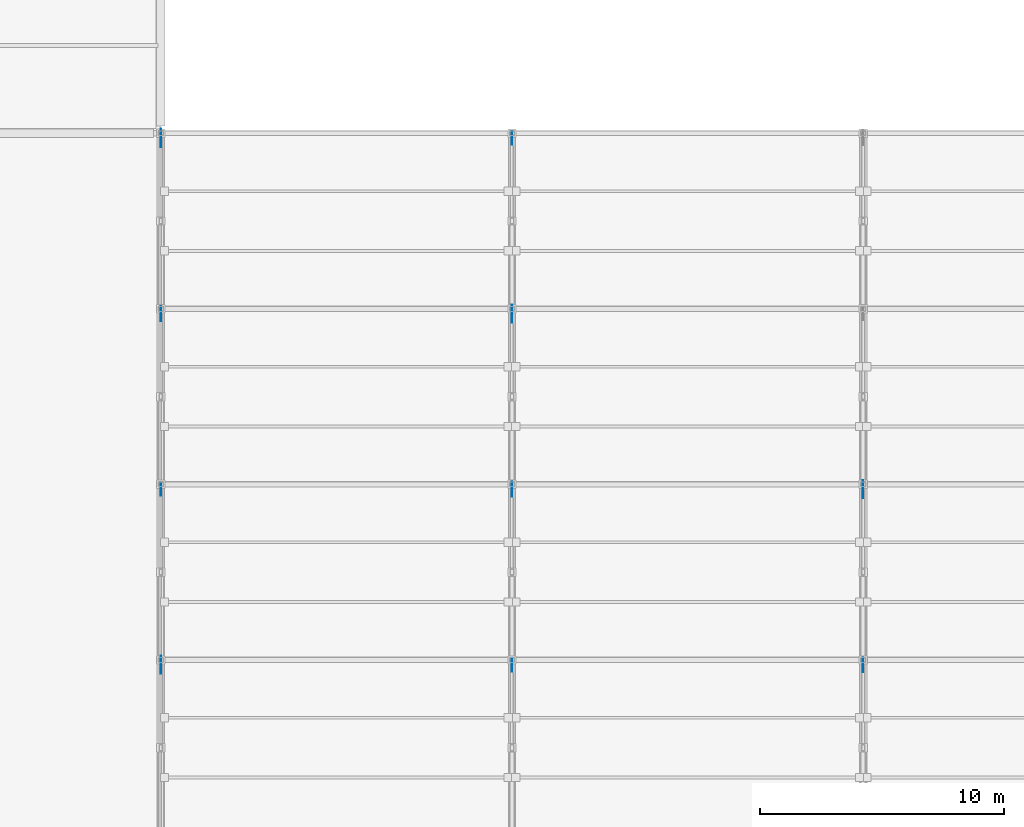
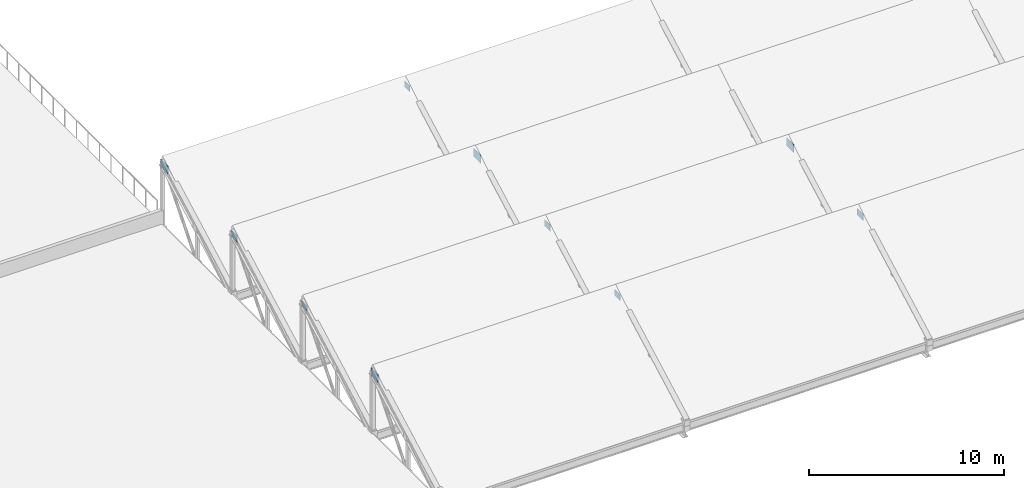
# One storey, part 32 of 51: 10 plates.
"""IFC4 building model written with IfcOpenShell, lengths in metres."""

import ifcopenshell
import ifcopenshell.guid

model = None  # the IFC model being written
_history = None  # IfcOwnerHistory: only IFC2X3 demands one
_inside = {}  # id of a spatial element -> (the spatial element, [elements in it])
_under = {}  # id of a project, library or spatial element -> (it, [spatial elements below it])
_declared = {}  # id of a project -> (the project, [libraries it declares])
_typed = {}  # id of a type object -> (the type object, [elements of that type])
_made_of = {}  # id of a material, layer set ... -> (it, [elements and type objects made of it])


def new_model(schema):
    """Start an empty IFC model of exactly this schema.

    Asked for "IFC4X3", IfcOpenShell would pick the latest addendum, in which some entities
    have other attributes; the version numbers below select the first issue.
    IFC2X3 requires an IfcOwnerHistory on every rooted entity: one is made here for all.
    """
    global model, _history
    if schema == "IFC4X3":
        model = ifcopenshell.file(schema_version=(4, 3, 0, 0))
    else:
        model = ifcopenshell.file(schema=schema)
    _inside.clear()
    _under.clear()
    _declared.clear()
    _typed.clear()
    _made_of.clear()
    _history = None
    if model.schema == "IFC2X3":
        org = make("IfcOrganization", Name="unknown")
        user = make(
            "IfcPersonAndOrganization",
            ThePerson=make("IfcPerson", FamilyName="unknown"),
            TheOrganization=org,
        )
        app = make(
            "IfcApplication",
            ApplicationDeveloper=org,
            Version="unknown",
            ApplicationFullName="unknown",
            ApplicationIdentifier="unknown",
        )
        _history = make(
            "IfcOwnerHistory",
            OwningUser=user,
            OwningApplication=app,
            ChangeAction="ADDED",
            CreationDate=0,
        )
    return model


def make(cls, **values):
    """One entity of the class cls with the attributes given. An attribute that is None is left unset."""
    return model.create_entity(
        cls, **{name: value for name, value in values.items() if value is not None}
    )


def rooted(cls, **values):
    """An entity with a GlobalId (a new one), such as an element, a storey or a relation."""
    return make(cls, GlobalId=ifcopenshell.guid.new(), OwnerHistory=_history, **values)


def si_unit(unit_type, name, prefix=None):
    """IfcSIUnit, for example si_unit("LENGTHUNIT", "METRE", prefix="MILLI")."""
    return make("IfcSIUnit", UnitType=unit_type, Prefix=prefix, Name=name)


def assignment(units):
    """IfcUnitAssignment: the units of a project."""
    return None if units is None else make("IfcUnitAssignment", Units=units)


def point(xyz):
    """IfcCartesianPoint."""
    return None if xyz is None else make("IfcCartesianPoint", Coordinates=xyz)


def direction(xyz):
    """IfcDirection."""
    return None if xyz is None else make("IfcDirection", DirectionRatios=xyz)


def frame(location, z_axis=None, x_axis=None):
    """IfcAxis2Placement3D, a coordinate frame: its origin and axes. An axis left out is left unset."""
    return make(
        "IfcAxis2Placement3D",
        Location=point(location),
        Axis=direction(z_axis),
        RefDirection=direction(x_axis),
    )


def frame_2d(location, x_axis=None):
    """IfcAxis2Placement2D, a coordinate frame in the plane: its origin and x axis."""
    return make(
        "IfcAxis2Placement2D", Location=point(location), RefDirection=direction(x_axis)
    )


def origin():
    """The frame at (0, 0, 0) with its axes left unset."""
    return frame((0.0, 0.0, 0.0))


def origin_2d():
    """The frame at (0, 0) in the plane with its x axis left unset."""
    return frame_2d((0.0, 0.0))


def place(relative_to, where):
    """IfcLocalPlacement: puts the frame where relative to a parent placement (None: the world)."""
    return make(
        "IfcLocalPlacement", PlacementRelTo=relative_to, RelativePlacement=where
    )


def context(
    kind, dimensions, precision=None, world=None, true_north=None, identifier=None
):
    """IfcGeometricRepresentationContext, for example the 3D "Model" context."""
    return make(
        "IfcGeometricRepresentationContext",
        ContextIdentifier=identifier,
        ContextType=kind,
        CoordinateSpaceDimension=dimensions,
        Precision=precision,
        WorldCoordinateSystem=world,
        TrueNorth=true_north,
    )


def subcontext(parent, identifier, kind, view, scale=None):
    """IfcGeometricRepresentationSubContext, for example "Body" below "Model"."""
    return make(
        "IfcGeometricRepresentationSubContext",
        ContextIdentifier=identifier,
        ContextType=kind,
        ParentContext=parent,
        TargetScale=scale,
        TargetView=view,
    )


def project(units=None, contexts=None):
    """IfcProject with its units and contexts."""
    return rooted(
        "IfcProject",
        Name="project",
        RepresentationContexts=contexts,
        UnitsInContext=assignment(units),
    )


def spatial(cls, under=None, at=None, **own):
    """A site, building, storey or space (cls), placed at a placement, below another one or the project."""
    s = rooted(cls, ObjectPlacement=at, **own)
    if under is not None:
        _under.setdefault(under.id(), (under, []))[1].append(s)
    return s


def profile(cls, at=None, kind="AREA", **sizes):
    """A parametric profile (cls). Its sizes go by their IFC names, for example OverallWidth=200.0."""
    return make(cls, ProfileType=kind, Position=at, **sizes)


def rectangle(**sizes):
    """IfcRectangleProfileDef."""
    return profile("IfcRectangleProfileDef", **sizes)


def extrude(swept, where, along, depth):
    """IfcExtrudedAreaSolid: the profile swept, set in the frame where, extruded along a direction by depth."""
    return make(
        "IfcExtrudedAreaSolid",
        SweptArea=swept,
        Position=where,
        ExtrudedDirection=direction(along),
        Depth=depth,
    )


def shape(context_of_items, identifier, shape_type, items):
    """IfcShapeRepresentation: the items that make up one representation, for example the "Body"."""
    return make(
        "IfcShapeRepresentation",
        ContextOfItems=context_of_items,
        RepresentationIdentifier=identifier,
        RepresentationType=shape_type,
        Items=items,
    )


def material(Name=None, Category=None):
    """IfcMaterial."""
    return make("IfcMaterial", Name=Name, Category=Category)


def made_of(thing, what):
    """Note that an element or type object is made of a material, layer set ...; save() writes the relation."""
    if what is not None:
        _made_of.setdefault(what.id(), (what, []))[1].append(thing)
    return thing


def type_object(cls, material=None, **own):
    """A type object (cls), such as IfcWallType, which elements share."""
    return made_of(rooted(cls, **own), material)


def element(
    cls,
    number,
    at=None,
    inside=None,
    cuts=None,
    type_object=None,
    material=None,
    context=None,
    identifier="Body",
    shape_type=None,
    held_by="IfcProductDefinitionShape",
    body=None,
    shapes=None,
    **own,
):
    """One element of the class cls, such as IfcWall. Its Tag is "e" and its number.

    at: its placement. inside: the storey or other place that contains it. cuts: it is an
    opening in that element (IfcRelVoidsElement). A single representation is given by context,
    identifier, shape_type and body (its items); several are given by shapes. held_by: the class
    of the entity that holds the representations. save() writes the other relations.
    """
    e = rooted(cls, Tag="e%d" % number, ObjectPlacement=at, **own)
    if body is not None:
        shapes = [shape(context, identifier, shape_type, body)]
    if shapes is not None:
        e.Representation = make(held_by, Representations=shapes)
    if inside is not None:
        _inside.setdefault(inside.id(), (inside, []))[1].append(e)
    if cuts is not None:
        rooted(
            "IfcRelVoidsElement", RelatingBuildingElement=cuts, RelatedOpeningElement=e
        )
    if type_object is not None:
        _typed.setdefault(type_object.id(), (type_object, []))[1].append(e)
    return made_of(e, material)


def aggregate(whole, parts):
    """IfcRelAggregates: a whole, such as a stair, and the parts it consists of."""
    return rooted("IfcRelAggregates", RelatingObject=whole, RelatedObjects=parts)


def save(model, path):
    """Write the relations noted so far, then the file.

    IfcRelAggregates (storeys below a building ...), IfcRelContainedInSpatialStructure (elements
    in a storey), IfcRelDefinesByType, IfcRelAssociatesMaterial and IfcRelDeclares: one each for
    every whole, place, type object, material and project.
    """
    for whole, parts in _under.values():
        aggregate(whole, parts)
    for where, things in _inside.values():
        rooted(
            "IfcRelContainedInSpatialStructure",
            RelatedElements=things,
            RelatingStructure=where,
        )
    for kind, things in _typed.values():
        rooted("IfcRelDefinesByType", RelatedObjects=things, RelatingType=kind)
    for what, things in _made_of.values():
        rooted("IfcRelAssociatesMaterial", RelatedObjects=things, RelatingMaterial=what)
    for by, libraries in _declared.values():
        rooted("IfcRelDeclares", RelatingContext=by, RelatedDefinitions=libraries)
    model.write(path)


model = new_model("IFC4")

# Units and contexts
model_context = context("Model", 3, precision=1e-05, world=origin(), true_north=direction((0.0, 1.0)))
body_context = subcontext(model_context, "Body", "Model", "MODEL_VIEW")
ifc_project = project(units=[si_unit("LENGTHUNIT", "METRE"), si_unit("AREAUNIT", "SQUARE_METRE"), si_unit("VOLUMEUNIT", "CUBIC_METRE"), si_unit("PLANEANGLEUNIT", "RADIAN"), si_unit("MASSUNIT", "GRAM", prefix="KILO")], contexts=[model_context])

# Site, building, storey
site_placement = place(None, origin())
site = spatial("IfcSite", under=ifc_project, at=site_placement, CompositionType="ELEMENT")
building_placement = place(site_placement, origin())
building = spatial("IfcBuilding", under=site, at=building_placement, Name="Valkovuoma Quantum and Materials Research Institute", CompositionType="ELEMENT")
storey_placement = place(building_placement, frame((0.0, 0.0, 17.280029296875)))
storey = spatial("IfcBuildingStorey", under=building, at=storey_placement, Name="L04", CompositionType="ELEMENT", Elevation=17.280029296875)

# Plates
ifc_material_1 = material(Name="Steel S355J2", Category="steel")
plate_type_1 = type_object("IfcPlateType", Name="Plate-PL-GUS1", PredefinedType="USERDEFINED", material=ifc_material_1)
for number, where, z_axis, x_axis, name in (
    (1, (43.199951171875, 57.39990234375, 3.489990234375), (0.0, 0.0, 1.0), (0.0, 1.0, 0.0), "L04 VOL2 truss gusset 1.3"),
    (2, (57.60009765625, 50.199951171875, 3.489990234375), (0.0, 0.0, 1.0), (0.0, 1.0, 0.0), "L04 VOL2 truss gusset 2.2"),
    (3, (72.0, 43.0, 3.489990234375), (0.0, 0.0, 1.0), (0.0, 1.0, 0.0), "L04 VOL2 truss gusset 3.1"),
):
    element("IfcPlate", number, at=place(storey_placement, frame(where, z_axis=z_axis, x_axis=x_axis)), inside=storey, type_object=plate_type_1, Name=name, ObjectType="GUSSET_PLATE", PredefinedType="USERDEFINED", context=body_context, shape_type="SweptSolid", body=[
        extrude(rectangle(XDim=0.60009765625, YDim=0.02490234375, at=origin_2d()), origin(), (0.0, 0.0, 1.0), 0.39990234375),
    ])
ifc_material_2 = material(Name="Steel S355J2", Category="steel")
plate_type_2 = type_object("IfcPlateType", Name="Plate-PL-GUS2", PredefinedType="USERDEFINED", material=ifc_material_2)
for number, where, z_axis, x_axis, name in (
    (4, (43.199951171875, 43.0, 3.43994140625), (0.0, 0.0, 1.0), (0.0, 1.0, 0.0), "L04 VOL2 truss gusset 1.1"),
    (5, (43.199951171875, 64.60009765625, 3.43994140625), (0.0, 0.0, 1.0), (0.0, 1.0, 0.0), "L04 VOL2 truss gusset 1.4"),
    (6, (57.60009765625, 57.39990234375, 3.43994140625), (0.0, 0.0, 1.0), (0.0, 1.0, 0.0), "L04 VOL2 truss gusset 2.3"),
    (7, (72.0, 50.199951171875, 3.43994140625), (0.0, 0.0, 1.0), (0.0, 1.0, 0.0), "L04 VOL2 truss gusset 3.2"),
):
    element("IfcPlate", number, at=place(storey_placement, frame(where, z_axis=z_axis, x_axis=x_axis)), inside=storey, type_object=plate_type_2, Name=name, ObjectType="GUSSET_PLATE", PredefinedType="USERDEFINED", context=body_context, shape_type="SweptSolid", body=[
        extrude(rectangle(XDim=0.75, YDim=0.02490234375, at=origin_2d()), origin(), (0.0, 0.0, 1.0), 0.5),
    ])
ifc_material_3 = material(Name="Steel S355J2", Category="steel")
plate_type_3 = type_object("IfcPlateType", Name="Plate-PL-GUS4", PredefinedType="USERDEFINED", material=ifc_material_3)
for number, where, z_axis, x_axis, name in (
    (8, (43.199951171875, 50.199951171875, 3.509765625), (0.0, 0.0, 1.0), (0.0, 1.0, 0.0), "L04 VOL2 truss gusset 1.2"),
    (9, (57.60009765625, 43.0, 3.509765625), (0.0, 0.0, 1.0), (0.0, 1.0, 0.0), "L04 VOL2 truss gusset 2.1"),
    (10, (57.60009765625, 64.60009765625, 3.509765625), (0.0, 0.0, 1.0), (0.0, 1.0, 0.0), "L04 VOL2 truss gusset 2.4"),
):
    element("IfcPlate", number, at=place(storey_placement, frame(where, z_axis=z_axis, x_axis=x_axis)), inside=storey, type_object=plate_type_3, Name=name, ObjectType="GUSSET_PLATE", PredefinedType="USERDEFINED", context=body_context, shape_type="SweptSolid", body=[
        extrude(rectangle(XDim=0.550048828125, YDim=0.02490234375, at=origin_2d()), origin(), (0.0, 0.0, 1.0), 0.360107421875),
    ])

save(model, "model.ifc")
